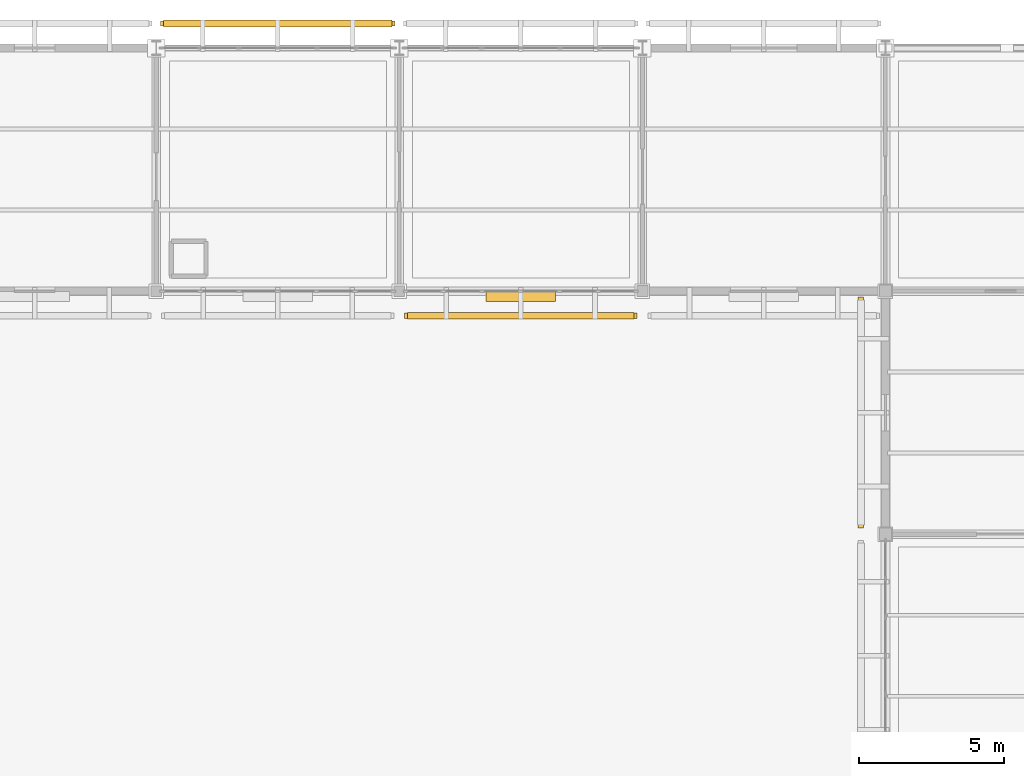
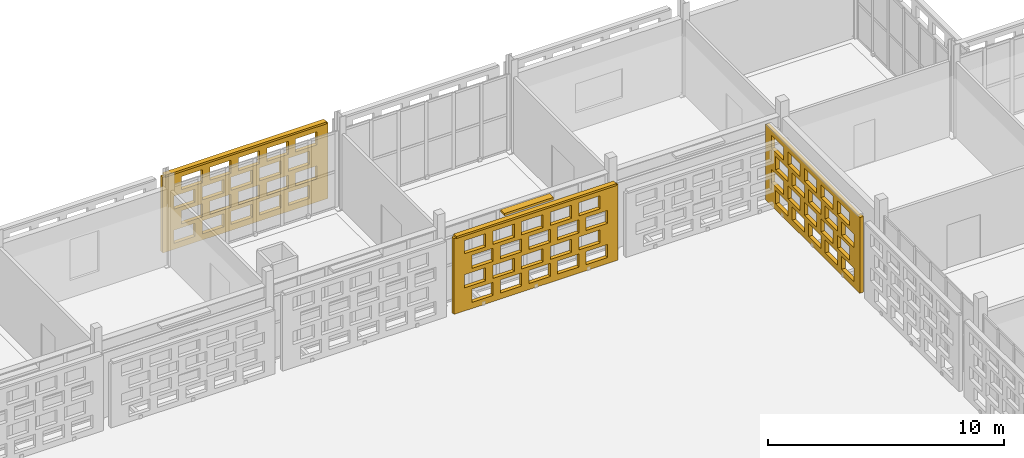
# One storey, part 180 of 203: 3 coverings, 3 shading devices, 60 openings.
"""IFC4 building model written with IfcOpenShell, lengths in metres."""

import ifcopenshell
import ifcopenshell.guid

model = None  # the IFC model being written
_history = None  # IfcOwnerHistory: only IFC2X3 demands one
_inside = {}  # id of a spatial element -> (the spatial element, [elements in it])
_under = {}  # id of a project, library or spatial element -> (it, [spatial elements below it])
_declared = {}  # id of a project -> (the project, [libraries it declares])
_typed = {}  # id of a type object -> (the type object, [elements of that type])
_made_of = {}  # id of a material, layer set ... -> (it, [elements and type objects made of it])


def new_model(schema):
    """Start an empty IFC model of exactly this schema.

    Asked for "IFC4X3", IfcOpenShell would pick the latest addendum, in which some entities
    have other attributes; the version numbers below select the first issue.
    IFC2X3 requires an IfcOwnerHistory on every rooted entity: one is made here for all.
    """
    global model, _history
    if schema == "IFC4X3":
        model = ifcopenshell.file(schema_version=(4, 3, 0, 0))
    else:
        model = ifcopenshell.file(schema=schema)
    _inside.clear()
    _under.clear()
    _declared.clear()
    _typed.clear()
    _made_of.clear()
    _history = None
    if model.schema == "IFC2X3":
        org = make("IfcOrganization", Name="unknown")
        user = make(
            "IfcPersonAndOrganization",
            ThePerson=make("IfcPerson", FamilyName="unknown"),
            TheOrganization=org,
        )
        app = make(
            "IfcApplication",
            ApplicationDeveloper=org,
            Version="unknown",
            ApplicationFullName="unknown",
            ApplicationIdentifier="unknown",
        )
        _history = make(
            "IfcOwnerHistory",
            OwningUser=user,
            OwningApplication=app,
            ChangeAction="ADDED",
            CreationDate=0,
        )
    return model


def make(cls, **values):
    """One entity of the class cls with the attributes given. An attribute that is None is left unset."""
    return model.create_entity(
        cls, **{name: value for name, value in values.items() if value is not None}
    )


def rooted(cls, **values):
    """An entity with a GlobalId (a new one), such as an element, a storey or a relation."""
    return make(cls, GlobalId=ifcopenshell.guid.new(), OwnerHistory=_history, **values)


def si_unit(unit_type, name, prefix=None):
    """IfcSIUnit, for example si_unit("LENGTHUNIT", "METRE", prefix="MILLI")."""
    return make("IfcSIUnit", UnitType=unit_type, Prefix=prefix, Name=name)


def assignment(units):
    """IfcUnitAssignment: the units of a project."""
    return None if units is None else make("IfcUnitAssignment", Units=units)


def point(xyz):
    """IfcCartesianPoint."""
    return None if xyz is None else make("IfcCartesianPoint", Coordinates=xyz)


def direction(xyz):
    """IfcDirection."""
    return None if xyz is None else make("IfcDirection", DirectionRatios=xyz)


def frame(location, z_axis=None, x_axis=None):
    """IfcAxis2Placement3D, a coordinate frame: its origin and axes. An axis left out is left unset."""
    return make(
        "IfcAxis2Placement3D",
        Location=point(location),
        Axis=direction(z_axis),
        RefDirection=direction(x_axis),
    )


def frame_2d(location, x_axis=None):
    """IfcAxis2Placement2D, a coordinate frame in the plane: its origin and x axis."""
    return make(
        "IfcAxis2Placement2D", Location=point(location), RefDirection=direction(x_axis)
    )


def origin():
    """The frame at (0, 0, 0) with its axes left unset."""
    return frame((0.0, 0.0, 0.0))


def origin_2d():
    """The frame at (0, 0) in the plane with its x axis left unset."""
    return frame_2d((0.0, 0.0))


def place(relative_to, where):
    """IfcLocalPlacement: puts the frame where relative to a parent placement (None: the world)."""
    return make(
        "IfcLocalPlacement", PlacementRelTo=relative_to, RelativePlacement=where
    )


def context(
    kind, dimensions, precision=None, world=None, true_north=None, identifier=None
):
    """IfcGeometricRepresentationContext, for example the 3D "Model" context."""
    return make(
        "IfcGeometricRepresentationContext",
        ContextIdentifier=identifier,
        ContextType=kind,
        CoordinateSpaceDimension=dimensions,
        Precision=precision,
        WorldCoordinateSystem=world,
        TrueNorth=true_north,
    )


def subcontext(parent, identifier, kind, view, scale=None):
    """IfcGeometricRepresentationSubContext, for example "Body" below "Model"."""
    return make(
        "IfcGeometricRepresentationSubContext",
        ContextIdentifier=identifier,
        ContextType=kind,
        ParentContext=parent,
        TargetScale=scale,
        TargetView=view,
    )


def project(units=None, contexts=None):
    """IfcProject with its units and contexts."""
    return rooted(
        "IfcProject",
        Name="project",
        RepresentationContexts=contexts,
        UnitsInContext=assignment(units),
    )


def spatial(cls, under=None, at=None, **own):
    """A site, building, storey or space (cls), placed at a placement, below another one or the project."""
    s = rooted(cls, ObjectPlacement=at, **own)
    if under is not None:
        _under.setdefault(under.id(), (under, []))[1].append(s)
    return s


def profile(cls, at=None, kind="AREA", **sizes):
    """A parametric profile (cls). Its sizes go by their IFC names, for example OverallWidth=200.0."""
    return make(cls, ProfileType=kind, Position=at, **sizes)


def rectangle(**sizes):
    """IfcRectangleProfileDef."""
    return profile("IfcRectangleProfileDef", **sizes)


def extrude(swept, where, along, depth):
    """IfcExtrudedAreaSolid: the profile swept, set in the frame where, extruded along a direction by depth."""
    return make(
        "IfcExtrudedAreaSolid",
        SweptArea=swept,
        Position=where,
        ExtrudedDirection=direction(along),
        Depth=depth,
    )


def shape(context_of_items, identifier, shape_type, items):
    """IfcShapeRepresentation: the items that make up one representation, for example the "Body"."""
    return make(
        "IfcShapeRepresentation",
        ContextOfItems=context_of_items,
        RepresentationIdentifier=identifier,
        RepresentationType=shape_type,
        Items=items,
    )


def material(Name=None, Category=None):
    """IfcMaterial."""
    return make("IfcMaterial", Name=Name, Category=Category)


def layer(
    of_material, thickness, ventilated=None, Name=None, Category=None, Priority=None
):
    """IfcMaterialLayer: one layer of a wall or slab, of a material (None: an air gap)."""
    return make(
        "IfcMaterialLayer",
        Material=of_material,
        LayerThickness=thickness,
        IsVentilated=ventilated,
        Name=Name,
        Category=Category,
        Priority=Priority,
    )


def layer_set(layers, Name=None):
    """IfcMaterialLayerSet."""
    return make("IfcMaterialLayerSet", MaterialLayers=layers, LayerSetName=Name)


def made_of(thing, what):
    """Note that an element or type object is made of a material, layer set ...; save() writes the relation."""
    if what is not None:
        _made_of.setdefault(what.id(), (what, []))[1].append(thing)
    return thing


def type_object(cls, material=None, **own):
    """A type object (cls), such as IfcWallType, which elements share."""
    return made_of(rooted(cls, **own), material)


def element(
    cls,
    number,
    at=None,
    inside=None,
    cuts=None,
    type_object=None,
    material=None,
    context=None,
    identifier="Body",
    shape_type=None,
    held_by="IfcProductDefinitionShape",
    body=None,
    shapes=None,
    **own,
):
    """One element of the class cls, such as IfcWall. Its Tag is "e" and its number.

    at: its placement. inside: the storey or other place that contains it. cuts: it is an
    opening in that element (IfcRelVoidsElement). A single representation is given by context,
    identifier, shape_type and body (its items); several are given by shapes. held_by: the class
    of the entity that holds the representations. save() writes the other relations.
    """
    e = rooted(cls, Tag="e%d" % number, ObjectPlacement=at, **own)
    if body is not None:
        shapes = [shape(context, identifier, shape_type, body)]
    if shapes is not None:
        e.Representation = make(held_by, Representations=shapes)
    if inside is not None:
        _inside.setdefault(inside.id(), (inside, []))[1].append(e)
    if cuts is not None:
        rooted(
            "IfcRelVoidsElement", RelatingBuildingElement=cuts, RelatedOpeningElement=e
        )
    if type_object is not None:
        _typed.setdefault(type_object.id(), (type_object, []))[1].append(e)
    return made_of(e, material)


def aggregate(whole, parts):
    """IfcRelAggregates: a whole, such as a stair, and the parts it consists of."""
    return rooted("IfcRelAggregates", RelatingObject=whole, RelatedObjects=parts)


def save(model, path):
    """Write the relations noted so far, then the file.

    IfcRelAggregates (storeys below a building ...), IfcRelContainedInSpatialStructure (elements
    in a storey), IfcRelDefinesByType, IfcRelAssociatesMaterial and IfcRelDeclares: one each for
    every whole, place, type object, material and project.
    """
    for whole, parts in _under.values():
        aggregate(whole, parts)
    for where, things in _inside.values():
        rooted(
            "IfcRelContainedInSpatialStructure",
            RelatedElements=things,
            RelatingStructure=where,
        )
    for kind, things in _typed.values():
        rooted("IfcRelDefinesByType", RelatedObjects=things, RelatingType=kind)
    for what, things in _made_of.values():
        rooted("IfcRelAssociatesMaterial", RelatedObjects=things, RelatingMaterial=what)
    for by, libraries in _declared.values():
        rooted("IfcRelDeclares", RelatingContext=by, RelatedDefinitions=libraries)
    model.write(path)


model = new_model("IFC4")

# Units and contexts
model_context = context("Model", 3, precision=1e-05, world=origin(), true_north=direction((0.0, 1.0)))
body_context = subcontext(model_context, "Body", "Model", "MODEL_VIEW")
ifc_project = project(units=[si_unit("LENGTHUNIT", "METRE"), si_unit("AREAUNIT", "SQUARE_METRE"), si_unit("VOLUMEUNIT", "CUBIC_METRE"), si_unit("PLANEANGLEUNIT", "RADIAN"), si_unit("MASSUNIT", "GRAM", prefix="KILO")], contexts=[model_context])

# Site, building, storey
site_placement = place(None, origin())
site = spatial("IfcSite", under=ifc_project, at=site_placement, CompositionType="ELEMENT")
building_placement = place(site_placement, origin())
building = spatial("IfcBuilding", under=site, at=building_placement, Name="Varnapada Polytechnic", CompositionType="ELEMENT")
storey_placement = place(building_placement, frame((0.0, 0.0, 4.800048828125)))
storey = spatial("IfcBuildingStorey", under=building, at=storey_placement, Name="L01", CompositionType="ELEMENT", Elevation=4.800048828125)

# Shading device
ifc_material_1 = material(Name="Anodised aluminium", Category="aluminium")
ifc_layer_1 = layer(ifc_material_1, 0.35009765625)
ifc_layer_set_1 = layer_set([ifc_layer_1], Name="Anodised aluminium")
shading_device_type_1 = type_object("IfcShadingDeviceType", Name="Solar Louvre LVR-01", PredefinedType="JALOUSIE", material=ifc_layer_set_1)
shading_device_1_placement = place(storey_placement, frame((113.39501953125, 117.419921875, 3.760009765625), z_axis=(0.0, 0.0, 1.0), x_axis=(-1.0, 0.0, 0.0)))
element("IfcShadingDevice", 1, at=shading_device_1_placement, inside=storey, type_object=shading_device_type_1, Name="L01 aluminium sun louvre 94", PredefinedType="JALOUSIE", context=body_context, shape_type="SweptSolid", body=[
    extrude(rectangle(XDim=2.39990234375, YDim=0.340087890625, at=origin_2d()), origin(), (0.0, 0.0, 1.0), 0.1201171875),
])

# Covering, openings
ifc_material_2 = material(Name="Earth-toned architectural terracotta screen block", Category="masonry")
ifc_layer_2 = layer(ifc_material_2, 0.1201171875)
ifc_layer_set_2 = layer_set([ifc_layer_2], Name="Earth-toned architectural terracotta screen block")
covering_type = type_object("IfcCoveringType", Name="Terracotta Screen Cladding CLD-01", PredefinedType="CLADDING", material=ifc_layer_set_2)
covering_1_placement = place(storey_placement, frame((100.949951171875, 126.85009765625, 0.0), z_axis=(0.0, 0.0, 1.0), x_axis=(1.0, 0.0, 0.0)))
covering_1 = element("IfcCovering", 2, at=covering_1_placement, inside=storey, type_object=covering_type, Name="L01 perforated terracotta block screen (89)", PredefinedType="CLADDING", context=body_context, shape_type="SweptSolid", body=[
    extrude(rectangle(XDim=8.10009765625, YDim=0.179931640625, at=frame_2d((4.050048828125, 0.0))), origin(), (0.0, 0.0, 1.0), 3.919921875),
])
opening_1_placement = place(covering_1_placement, frame((0.550048828125, 0.0, 0.313720703125)))
element("IfcOpeningElement", 3, at=opening_1_placement, cuts=covering_1, Name="Screen perforation TBS-L01-088.1", PredefinedType="OPENING", context=body_context, shape_type="SweptSolid", body=[
    extrude(rectangle(XDim=1.0400390625, YDim=0.679931640625, at=frame_2d((0.52001953125, 0.33984375))), frame((0.0, 0.099853515625, 0.0), z_axis=(0.0, -1.0, 0.0), x_axis=(1.0, 0.0, 0.0)), (0.0, 0.0, 1.0), 0.199951171875),
])
opening_2_placement = place(covering_1_placement, frame((1.949951171875, 0.0, 0.313720703125)))
element("IfcOpeningElement", 4, at=opening_2_placement, cuts=covering_1, Name="Screen perforation TBS-L01-088.2", PredefinedType="OPENING", context=body_context, shape_type="SweptSolid", body=[
    extrude(rectangle(XDim=1.0400390625, YDim=0.679931640625, at=frame_2d((0.52001953125, 0.33984375))), frame((0.0, 0.099853515625, 0.0), z_axis=(0.0, -1.0, 0.0), x_axis=(1.0, 0.0, 0.0)), (0.0, 0.0, 1.0), 0.199951171875),
])
opening_3_placement = place(covering_1_placement, frame((3.35009765625, 0.0, 0.313720703125)))
element("IfcOpeningElement", 5, at=opening_3_placement, cuts=covering_1, Name="Screen perforation TBS-L01-088.3", PredefinedType="OPENING", context=body_context, shape_type="SweptSolid", body=[
    extrude(rectangle(XDim=1.0400390625, YDim=0.679931640625, at=frame_2d((0.52001953125, 0.33984375))), frame((0.0, 0.099853515625, 0.0), z_axis=(0.0, -1.0, 0.0), x_axis=(1.0, 0.0, 0.0)), (0.0, 0.0, 1.0), 0.199951171875),
])
opening_4_placement = place(covering_1_placement, frame((4.75, 0.0, 0.313720703125)))
element("IfcOpeningElement", 6, at=opening_4_placement, cuts=covering_1, Name="Screen perforation TBS-L01-088.4", PredefinedType="OPENING", context=body_context, shape_type="SweptSolid", body=[
    extrude(rectangle(XDim=1.0400390625, YDim=0.679931640625, at=frame_2d((0.52001953125, 0.33984375))), frame((0.0, 0.099853515625, 0.0), z_axis=(0.0, -1.0, 0.0), x_axis=(1.0, 0.0, 0.0)), (0.0, 0.0, 1.0), 0.199951171875),
])
opening_5_placement = place(covering_1_placement, frame((6.14990234375, 0.0, 0.313720703125)))
element("IfcOpeningElement", 7, at=opening_5_placement, cuts=covering_1, Name="Screen perforation TBS-L01-088.5", PredefinedType="OPENING", context=body_context, shape_type="SweptSolid", body=[
    extrude(rectangle(XDim=1.0400390625, YDim=0.679931640625, at=frame_2d((0.52001953125, 0.33984375))), frame((0.0, 0.099853515625, 0.0), z_axis=(0.0, -1.0, 0.0), x_axis=(1.0, 0.0, 0.0)), (0.0, 0.0, 1.0), 0.199951171875),
])
opening_6_placement = place(covering_1_placement, frame((0.909912109375, 0.0, 1.195556640625)))
element("IfcOpeningElement", 8, at=opening_6_placement, cuts=covering_1, Name="Screen perforation TBS-L01-088.6", PredefinedType="OPENING", context=body_context, shape_type="SweptSolid", body=[
    extrude(rectangle(XDim=1.0400390625, YDim=0.679931640625, at=frame_2d((0.52001953125, 0.33984375))), frame((0.0, 0.099853515625, 0.0), z_axis=(0.0, -1.0, 0.0), x_axis=(1.0, 0.0, 0.0)), (0.0, 0.0, 1.0), 0.199951171875),
])
opening_7_placement = place(covering_1_placement, frame((2.31005859375, 0.0, 1.195556640625)))
element("IfcOpeningElement", 9, at=opening_7_placement, cuts=covering_1, Name="Screen perforation TBS-L01-088.7", PredefinedType="OPENING", context=body_context, shape_type="SweptSolid", body=[
    extrude(rectangle(XDim=1.0400390625, YDim=0.679931640625, at=frame_2d((0.52001953125, 0.33984375))), frame((0.0, 0.099853515625, 0.0), z_axis=(0.0, -1.0, 0.0), x_axis=(1.0, 0.0, 0.0)), (0.0, 0.0, 1.0), 0.199951171875),
])
opening_8_placement = place(covering_1_placement, frame((3.7099609375, 0.0, 1.195556640625)))
element("IfcOpeningElement", 10, at=opening_8_placement, cuts=covering_1, Name="Screen perforation TBS-L01-088.8", PredefinedType="OPENING", context=body_context, shape_type="SweptSolid", body=[
    extrude(rectangle(XDim=1.0400390625, YDim=0.679931640625, at=frame_2d((0.52001953125, 0.33984375))), frame((0.0, 0.099853515625, 0.0), z_axis=(0.0, -1.0, 0.0), x_axis=(1.0, 0.0, 0.0)), (0.0, 0.0, 1.0), 0.199951171875),
])
opening_9_placement = place(covering_1_placement, frame((5.110107421875, 0.0, 1.195556640625)))
element("IfcOpeningElement", 11, at=opening_9_placement, cuts=covering_1, Name="Screen perforation TBS-L01-088.9", PredefinedType="OPENING", context=body_context, shape_type="SweptSolid", body=[
    extrude(rectangle(XDim=1.0400390625, YDim=0.679931640625, at=frame_2d((0.52001953125, 0.33984375))), frame((0.0, 0.099853515625, 0.0), z_axis=(0.0, -1.0, 0.0), x_axis=(1.0, 0.0, 0.0)), (0.0, 0.0, 1.0), 0.199951171875),
])
opening_10_placement = place(covering_1_placement, frame((6.510009765625, 0.0, 1.195556640625)))
element("IfcOpeningElement", 12, at=opening_10_placement, cuts=covering_1, Name="Screen perforation TBS-L01-088.10", PredefinedType="OPENING", context=body_context, shape_type="SweptSolid", body=[
    extrude(rectangle(XDim=1.0400390625, YDim=0.679931640625, at=frame_2d((0.52001953125, 0.33984375))), frame((0.0, 0.099853515625, 0.0), z_axis=(0.0, -1.0, 0.0), x_axis=(1.0, 0.0, 0.0)), (0.0, 0.0, 1.0), 0.199951171875),
])
opening_11_placement = place(covering_1_placement, frame((0.550048828125, 0.0, 2.07763671875)))
element("IfcOpeningElement", 13, at=opening_11_placement, cuts=covering_1, Name="Screen perforation TBS-L01-088.11", PredefinedType="OPENING", context=body_context, shape_type="SweptSolid", body=[
    extrude(rectangle(XDim=1.0400390625, YDim=0.679931640625, at=frame_2d((0.52001953125, 0.33984375))), frame((0.0, 0.099853515625, 0.0), z_axis=(0.0, -1.0, 0.0), x_axis=(1.0, 0.0, 0.0)), (0.0, 0.0, 1.0), 0.199951171875),
])
opening_12_placement = place(covering_1_placement, frame((1.949951171875, 0.0, 2.07763671875)))
element("IfcOpeningElement", 14, at=opening_12_placement, cuts=covering_1, Name="Screen perforation TBS-L01-088.12", PredefinedType="OPENING", context=body_context, shape_type="SweptSolid", body=[
    extrude(rectangle(XDim=1.0400390625, YDim=0.679931640625, at=frame_2d((0.52001953125, 0.33984375))), frame((0.0, 0.099853515625, 0.0), z_axis=(0.0, -1.0, 0.0), x_axis=(1.0, 0.0, 0.0)), (0.0, 0.0, 1.0), 0.199951171875),
])
opening_13_placement = place(covering_1_placement, frame((3.35009765625, 0.0, 2.07763671875)))
element("IfcOpeningElement", 15, at=opening_13_placement, cuts=covering_1, Name="Screen perforation TBS-L01-088.13", PredefinedType="OPENING", context=body_context, shape_type="SweptSolid", body=[
    extrude(rectangle(XDim=1.0400390625, YDim=0.679931640625, at=frame_2d((0.52001953125, 0.33984375))), frame((0.0, 0.099853515625, 0.0), z_axis=(0.0, -1.0, 0.0), x_axis=(1.0, 0.0, 0.0)), (0.0, 0.0, 1.0), 0.199951171875),
])
opening_14_placement = place(covering_1_placement, frame((4.75, 0.0, 2.07763671875)))
element("IfcOpeningElement", 16, at=opening_14_placement, cuts=covering_1, Name="Screen perforation TBS-L01-088.14", PredefinedType="OPENING", context=body_context, shape_type="SweptSolid", body=[
    extrude(rectangle(XDim=1.0400390625, YDim=0.679931640625, at=frame_2d((0.52001953125, 0.33984375))), frame((0.0, 0.099853515625, 0.0), z_axis=(0.0, -1.0, 0.0), x_axis=(1.0, 0.0, 0.0)), (0.0, 0.0, 1.0), 0.199951171875),
])
opening_15_placement = place(covering_1_placement, frame((6.14990234375, 0.0, 2.07763671875)))
element("IfcOpeningElement", 17, at=opening_15_placement, cuts=covering_1, Name="Screen perforation TBS-L01-088.15", PredefinedType="OPENING", context=body_context, shape_type="SweptSolid", body=[
    extrude(rectangle(XDim=1.0400390625, YDim=0.679931640625, at=frame_2d((0.52001953125, 0.33984375))), frame((0.0, 0.099853515625, 0.0), z_axis=(0.0, -1.0, 0.0), x_axis=(1.0, 0.0, 0.0)), (0.0, 0.0, 1.0), 0.199951171875),
])
opening_16_placement = place(covering_1_placement, frame((0.909912109375, 0.0, 2.959716796875)))
element("IfcOpeningElement", 18, at=opening_16_placement, cuts=covering_1, Name="Screen perforation TBS-L01-088.16", PredefinedType="OPENING", context=body_context, shape_type="SweptSolid", body=[
    extrude(rectangle(XDim=1.0400390625, YDim=0.679931640625, at=frame_2d((0.52001953125, 0.33984375))), frame((0.0, 0.099853515625, 0.0), z_axis=(0.0, -1.0, 0.0), x_axis=(1.0, 0.0, 0.0)), (0.0, 0.0, 1.0), 0.199951171875),
])
opening_17_placement = place(covering_1_placement, frame((2.31005859375, 0.0, 2.959716796875)))
element("IfcOpeningElement", 19, at=opening_17_placement, cuts=covering_1, Name="Screen perforation TBS-L01-088.17", PredefinedType="OPENING", context=body_context, shape_type="SweptSolid", body=[
    extrude(rectangle(XDim=1.0400390625, YDim=0.679931640625, at=frame_2d((0.52001953125, 0.33984375))), frame((0.0, 0.099853515625, 0.0), z_axis=(0.0, -1.0, 0.0), x_axis=(1.0, 0.0, 0.0)), (0.0, 0.0, 1.0), 0.199951171875),
])
opening_18_placement = place(covering_1_placement, frame((3.7099609375, 0.0, 2.959716796875)))
element("IfcOpeningElement", 20, at=opening_18_placement, cuts=covering_1, Name="Screen perforation TBS-L01-088.18", PredefinedType="OPENING", context=body_context, shape_type="SweptSolid", body=[
    extrude(rectangle(XDim=1.0400390625, YDim=0.679931640625, at=frame_2d((0.52001953125, 0.33984375))), frame((0.0, 0.099853515625, 0.0), z_axis=(0.0, -1.0, 0.0), x_axis=(1.0, 0.0, 0.0)), (0.0, 0.0, 1.0), 0.199951171875),
])
opening_19_placement = place(covering_1_placement, frame((5.110107421875, 0.0, 2.959716796875)))
element("IfcOpeningElement", 21, at=opening_19_placement, cuts=covering_1, Name="Screen perforation TBS-L01-088.19", PredefinedType="OPENING", context=body_context, shape_type="SweptSolid", body=[
    extrude(rectangle(XDim=1.0400390625, YDim=0.679931640625, at=frame_2d((0.52001953125, 0.33984375))), frame((0.0, 0.099853515625, 0.0), z_axis=(0.0, -1.0, 0.0), x_axis=(1.0, 0.0, 0.0)), (0.0, 0.0, 1.0), 0.199951171875),
])
opening_20_placement = place(covering_1_placement, frame((6.510009765625, 0.0, 2.959716796875)))
element("IfcOpeningElement", 22, at=opening_20_placement, cuts=covering_1, Name="Screen perforation TBS-L01-088.20", PredefinedType="OPENING", context=body_context, shape_type="SweptSolid", body=[
    extrude(rectangle(XDim=1.0400390625, YDim=0.679931640625, at=frame_2d((0.52001953125, 0.33984375))), frame((0.0, 0.099853515625, 0.0), z_axis=(0.0, -1.0, 0.0), x_axis=(1.0, 0.0, 0.0)), (0.0, 0.0, 1.0), 0.199951171875),
])

covering_2_placement = place(storey_placement, frame((117.409912109375, 116.75, 0.0), z_axis=(0.0, 0.0, 1.0), x_axis=(-1.0, 0.0, 0.0)))
covering_2 = element("IfcCovering", 23, at=covering_2_placement, inside=storey, type_object=covering_type, Name="L01 perforated terracotta block screen (94)", PredefinedType="CLADDING", context=body_context, shape_type="SweptSolid", body=[
    extrude(rectangle(XDim=8.030029296875, YDim=0.179931640625, at=frame_2d((4.01513671875, 0.0))), origin(), (0.0, 0.0, 1.0), 3.919921875),
])
opening_21_placement = place(covering_2_placement, frame((0.514892578125, 0.0, 0.313720703125)))
element("IfcOpeningElement", 24, at=opening_21_placement, cuts=covering_2, Name="Screen perforation TBS-L01-093.1", PredefinedType="OPENING", context=body_context, shape_type="SweptSolid", body=[
    extrude(rectangle(XDim=1.0400390625, YDim=0.679931640625, at=frame_2d((0.52001953125, 0.33984375))), frame((0.0, 0.099853515625, 0.0), z_axis=(0.0, -1.0, 0.0), x_axis=(1.0, 0.0, 0.0)), (0.0, 0.0, 1.0), 0.199951171875),
])
opening_22_placement = place(covering_2_placement, frame((1.9150390625, 0.0, 0.313720703125)))
element("IfcOpeningElement", 25, at=opening_22_placement, cuts=covering_2, Name="Screen perforation TBS-L01-093.2", PredefinedType="OPENING", context=body_context, shape_type="SweptSolid", body=[
    extrude(rectangle(XDim=1.0400390625, YDim=0.679931640625, at=frame_2d((0.52001953125, 0.33984375))), frame((0.0, 0.099853515625, 0.0), z_axis=(0.0, -1.0, 0.0), x_axis=(1.0, 0.0, 0.0)), (0.0, 0.0, 1.0), 0.199951171875),
])
opening_23_placement = place(covering_2_placement, frame((3.31494140625, 0.0, 0.313720703125)))
element("IfcOpeningElement", 26, at=opening_23_placement, cuts=covering_2, Name="Screen perforation TBS-L01-093.3", PredefinedType="OPENING", context=body_context, shape_type="SweptSolid", body=[
    extrude(rectangle(XDim=1.0400390625, YDim=0.679931640625, at=frame_2d((0.52001953125, 0.33984375))), frame((0.0, 0.099853515625, 0.0), z_axis=(0.0, -1.0, 0.0), x_axis=(1.0, 0.0, 0.0)), (0.0, 0.0, 1.0), 0.199951171875),
])
opening_24_placement = place(covering_2_placement, frame((4.715087890625, 0.0, 0.313720703125)))
element("IfcOpeningElement", 27, at=opening_24_placement, cuts=covering_2, Name="Screen perforation TBS-L01-093.4", PredefinedType="OPENING", context=body_context, shape_type="SweptSolid", body=[
    extrude(rectangle(XDim=1.0400390625, YDim=0.679931640625, at=frame_2d((0.52001953125, 0.33984375))), frame((0.0, 0.099853515625, 0.0), z_axis=(0.0, -1.0, 0.0), x_axis=(1.0, 0.0, 0.0)), (0.0, 0.0, 1.0), 0.199951171875),
])
opening_25_placement = place(covering_2_placement, frame((6.114990234375, 0.0, 0.313720703125)))
element("IfcOpeningElement", 28, at=opening_25_placement, cuts=covering_2, Name="Screen perforation TBS-L01-093.5", PredefinedType="OPENING", context=body_context, shape_type="SweptSolid", body=[
    extrude(rectangle(XDim=1.0400390625, YDim=0.679931640625, at=frame_2d((0.52001953125, 0.33984375))), frame((0.0, 0.099853515625, 0.0), z_axis=(0.0, -1.0, 0.0), x_axis=(1.0, 0.0, 0.0)), (0.0, 0.0, 1.0), 0.199951171875),
])
opening_26_placement = place(covering_2_placement, frame((0.875, 0.0, 1.195556640625)))
element("IfcOpeningElement", 29, at=opening_26_placement, cuts=covering_2, Name="Screen perforation TBS-L01-093.6", PredefinedType="OPENING", context=body_context, shape_type="SweptSolid", body=[
    extrude(rectangle(XDim=1.0400390625, YDim=0.679931640625, at=frame_2d((0.52001953125, 0.33984375))), frame((0.0, 0.099853515625, 0.0), z_axis=(0.0, -1.0, 0.0), x_axis=(1.0, 0.0, 0.0)), (0.0, 0.0, 1.0), 0.199951171875),
])
opening_27_placement = place(covering_2_placement, frame((2.27490234375, 0.0, 1.195556640625)))
element("IfcOpeningElement", 30, at=opening_27_placement, cuts=covering_2, Name="Screen perforation TBS-L01-093.7", PredefinedType="OPENING", context=body_context, shape_type="SweptSolid", body=[
    extrude(rectangle(XDim=1.0400390625, YDim=0.679931640625, at=frame_2d((0.52001953125, 0.33984375))), frame((0.0, 0.099853515625, 0.0), z_axis=(0.0, -1.0, 0.0), x_axis=(1.0, 0.0, 0.0)), (0.0, 0.0, 1.0), 0.199951171875),
])
opening_28_placement = place(covering_2_placement, frame((3.675048828125, 0.0, 1.195556640625)))
element("IfcOpeningElement", 31, at=opening_28_placement, cuts=covering_2, Name="Screen perforation TBS-L01-093.8", PredefinedType="OPENING", context=body_context, shape_type="SweptSolid", body=[
    extrude(rectangle(XDim=1.0400390625, YDim=0.679931640625, at=frame_2d((0.52001953125, 0.33984375))), frame((0.0, 0.099853515625, 0.0), z_axis=(0.0, -1.0, 0.0), x_axis=(1.0, 0.0, 0.0)), (0.0, 0.0, 1.0), 0.199951171875),
])
opening_29_placement = place(covering_2_placement, frame((5.074951171875, 0.0, 1.195556640625)))
element("IfcOpeningElement", 32, at=opening_29_placement, cuts=covering_2, Name="Screen perforation TBS-L01-093.9", PredefinedType="OPENING", context=body_context, shape_type="SweptSolid", body=[
    extrude(rectangle(XDim=1.0400390625, YDim=0.679931640625, at=frame_2d((0.52001953125, 0.33984375))), frame((0.0, 0.099853515625, 0.0), z_axis=(0.0, -1.0, 0.0), x_axis=(1.0, 0.0, 0.0)), (0.0, 0.0, 1.0), 0.199951171875),
])
opening_30_placement = place(covering_2_placement, frame((6.47509765625, 0.0, 1.195556640625)))
element("IfcOpeningElement", 33, at=opening_30_placement, cuts=covering_2, Name="Screen perforation TBS-L01-093.10", PredefinedType="OPENING", context=body_context, shape_type="SweptSolid", body=[
    extrude(rectangle(XDim=1.0400390625, YDim=0.679931640625, at=frame_2d((0.52001953125, 0.33984375))), frame((0.0, 0.099853515625, 0.0), z_axis=(0.0, -1.0, 0.0), x_axis=(1.0, 0.0, 0.0)), (0.0, 0.0, 1.0), 0.199951171875),
])
opening_31_placement = place(covering_2_placement, frame((0.514892578125, 0.0, 2.07763671875)))
element("IfcOpeningElement", 34, at=opening_31_placement, cuts=covering_2, Name="Screen perforation TBS-L01-093.11", PredefinedType="OPENING", context=body_context, shape_type="SweptSolid", body=[
    extrude(rectangle(XDim=1.0400390625, YDim=0.679931640625, at=frame_2d((0.52001953125, 0.33984375))), frame((0.0, 0.099853515625, 0.0), z_axis=(0.0, -1.0, 0.0), x_axis=(1.0, 0.0, 0.0)), (0.0, 0.0, 1.0), 0.199951171875),
])
opening_32_placement = place(covering_2_placement, frame((1.9150390625, 0.0, 2.07763671875)))
element("IfcOpeningElement", 35, at=opening_32_placement, cuts=covering_2, Name="Screen perforation TBS-L01-093.12", PredefinedType="OPENING", context=body_context, shape_type="SweptSolid", body=[
    extrude(rectangle(XDim=1.0400390625, YDim=0.679931640625, at=frame_2d((0.52001953125, 0.33984375))), frame((0.0, 0.099853515625, 0.0), z_axis=(0.0, -1.0, 0.0), x_axis=(1.0, 0.0, 0.0)), (0.0, 0.0, 1.0), 0.199951171875),
])
opening_33_placement = place(covering_2_placement, frame((3.31494140625, 0.0, 2.07763671875)))
element("IfcOpeningElement", 36, at=opening_33_placement, cuts=covering_2, Name="Screen perforation TBS-L01-093.13", PredefinedType="OPENING", context=body_context, shape_type="SweptSolid", body=[
    extrude(rectangle(XDim=1.0400390625, YDim=0.679931640625, at=frame_2d((0.52001953125, 0.33984375))), frame((0.0, 0.099853515625, 0.0), z_axis=(0.0, -1.0, 0.0), x_axis=(1.0, 0.0, 0.0)), (0.0, 0.0, 1.0), 0.199951171875),
])
opening_34_placement = place(covering_2_placement, frame((4.715087890625, 0.0, 2.07763671875)))
element("IfcOpeningElement", 37, at=opening_34_placement, cuts=covering_2, Name="Screen perforation TBS-L01-093.14", PredefinedType="OPENING", context=body_context, shape_type="SweptSolid", body=[
    extrude(rectangle(XDim=1.0400390625, YDim=0.679931640625, at=frame_2d((0.52001953125, 0.33984375))), frame((0.0, 0.099853515625, 0.0), z_axis=(0.0, -1.0, 0.0), x_axis=(1.0, 0.0, 0.0)), (0.0, 0.0, 1.0), 0.199951171875),
])
opening_35_placement = place(covering_2_placement, frame((6.114990234375, 0.0, 2.07763671875)))
element("IfcOpeningElement", 38, at=opening_35_placement, cuts=covering_2, Name="Screen perforation TBS-L01-093.15", PredefinedType="OPENING", context=body_context, shape_type="SweptSolid", body=[
    extrude(rectangle(XDim=1.0400390625, YDim=0.679931640625, at=frame_2d((0.52001953125, 0.33984375))), frame((0.0, 0.099853515625, 0.0), z_axis=(0.0, -1.0, 0.0), x_axis=(1.0, 0.0, 0.0)), (0.0, 0.0, 1.0), 0.199951171875),
])
opening_36_placement = place(covering_2_placement, frame((0.875, 0.0, 2.959716796875)))
element("IfcOpeningElement", 39, at=opening_36_placement, cuts=covering_2, Name="Screen perforation TBS-L01-093.16", PredefinedType="OPENING", context=body_context, shape_type="SweptSolid", body=[
    extrude(rectangle(XDim=1.0400390625, YDim=0.679931640625, at=frame_2d((0.52001953125, 0.33984375))), frame((0.0, 0.099853515625, 0.0), z_axis=(0.0, -1.0, 0.0), x_axis=(1.0, 0.0, 0.0)), (0.0, 0.0, 1.0), 0.199951171875),
])
opening_37_placement = place(covering_2_placement, frame((2.27490234375, 0.0, 2.959716796875)))
element("IfcOpeningElement", 40, at=opening_37_placement, cuts=covering_2, Name="Screen perforation TBS-L01-093.17", PredefinedType="OPENING", context=body_context, shape_type="SweptSolid", body=[
    extrude(rectangle(XDim=1.0400390625, YDim=0.679931640625, at=frame_2d((0.52001953125, 0.33984375))), frame((0.0, 0.099853515625, 0.0), z_axis=(0.0, -1.0, 0.0), x_axis=(1.0, 0.0, 0.0)), (0.0, 0.0, 1.0), 0.199951171875),
])
opening_38_placement = place(covering_2_placement, frame((3.675048828125, 0.0, 2.959716796875)))
element("IfcOpeningElement", 41, at=opening_38_placement, cuts=covering_2, Name="Screen perforation TBS-L01-093.18", PredefinedType="OPENING", context=body_context, shape_type="SweptSolid", body=[
    extrude(rectangle(XDim=1.0400390625, YDim=0.679931640625, at=frame_2d((0.52001953125, 0.33984375))), frame((0.0, 0.099853515625, 0.0), z_axis=(0.0, -1.0, 0.0), x_axis=(1.0, 0.0, 0.0)), (0.0, 0.0, 1.0), 0.199951171875),
])
opening_39_placement = place(covering_2_placement, frame((5.074951171875, 0.0, 2.959716796875)))
element("IfcOpeningElement", 42, at=opening_39_placement, cuts=covering_2, Name="Screen perforation TBS-L01-093.19", PredefinedType="OPENING", context=body_context, shape_type="SweptSolid", body=[
    extrude(rectangle(XDim=1.0400390625, YDim=0.679931640625, at=frame_2d((0.52001953125, 0.33984375))), frame((0.0, 0.099853515625, 0.0), z_axis=(0.0, -1.0, 0.0), x_axis=(1.0, 0.0, 0.0)), (0.0, 0.0, 1.0), 0.199951171875),
])
opening_40_placement = place(covering_2_placement, frame((6.47509765625, 0.0, 2.959716796875)))
element("IfcOpeningElement", 43, at=opening_40_placement, cuts=covering_2, Name="Screen perforation TBS-L01-093.20", PredefinedType="OPENING", context=body_context, shape_type="SweptSolid", body=[
    extrude(rectangle(XDim=1.0400390625, YDim=0.679931640625, at=frame_2d((0.52001953125, 0.33984375))), frame((0.0, 0.099853515625, 0.0), z_axis=(0.0, -1.0, 0.0), x_axis=(1.0, 0.0, 0.0)), (0.0, 0.0, 1.0), 0.199951171875),
])

covering_3_placement = place(storey_placement, frame((125.14990234375, 109.409912109375, 0.0), z_axis=(0.0, 0.0, 1.0), x_axis=(0.0, 1.0, 0.0)))
covering_3 = element("IfcCovering", 44, at=covering_3_placement, inside=storey, type_object=covering_type, Name="L01 perforated terracotta block screen (110)", PredefinedType="CLADDING", context=body_context, shape_type="SweptSolid", body=[
    extrude(rectangle(XDim=7.97998046875, YDim=0.179931640625, at=frame_2d((3.989990234375, 0.0))), origin(), (0.0, 0.0, 1.0), 3.919921875),
])
opening_41_placement = place(covering_3_placement, frame((0.489990234375, 0.0, 0.313720703125)))
element("IfcOpeningElement", 45, at=opening_41_placement, cuts=covering_3, Name="Screen perforation TBS-L01-109.1", PredefinedType="OPENING", context=body_context, shape_type="SweptSolid", body=[
    extrude(rectangle(XDim=1.0400390625, YDim=0.679931640625, at=frame_2d((0.52001953125, 0.33984375))), frame((0.0, 0.099853515625, 0.0), z_axis=(0.0, -1.0, 0.0), x_axis=(1.0, 0.0, 0.0)), (0.0, 0.0, 1.0), 0.199951171875),
])
opening_42_placement = place(covering_3_placement, frame((1.889892578125, 0.0, 0.313720703125)))
element("IfcOpeningElement", 46, at=opening_42_placement, cuts=covering_3, Name="Screen perforation TBS-L01-109.2", PredefinedType="OPENING", context=body_context, shape_type="SweptSolid", body=[
    extrude(rectangle(XDim=1.0400390625, YDim=0.679931640625, at=frame_2d((0.52001953125, 0.33984375))), frame((0.0, 0.099853515625, 0.0), z_axis=(0.0, -1.0, 0.0), x_axis=(1.0, 0.0, 0.0)), (0.0, 0.0, 1.0), 0.199951171875),
])
opening_43_placement = place(covering_3_placement, frame((3.2900390625, 0.0, 0.313720703125)))
element("IfcOpeningElement", 47, at=opening_43_placement, cuts=covering_3, Name="Screen perforation TBS-L01-109.3", PredefinedType="OPENING", context=body_context, shape_type="SweptSolid", body=[
    extrude(rectangle(XDim=1.0400390625, YDim=0.679931640625, at=frame_2d((0.52001953125, 0.33984375))), frame((0.0, 0.099853515625, 0.0), z_axis=(0.0, -1.0, 0.0), x_axis=(1.0, 0.0, 0.0)), (0.0, 0.0, 1.0), 0.199951171875),
])
opening_44_placement = place(covering_3_placement, frame((4.68994140625, 0.0, 0.313720703125)))
element("IfcOpeningElement", 48, at=opening_44_placement, cuts=covering_3, Name="Screen perforation TBS-L01-109.4", PredefinedType="OPENING", context=body_context, shape_type="SweptSolid", body=[
    extrude(rectangle(XDim=1.0400390625, YDim=0.679931640625, at=frame_2d((0.52001953125, 0.33984375))), frame((0.0, 0.099853515625, 0.0), z_axis=(0.0, -1.0, 0.0), x_axis=(1.0, 0.0, 0.0)), (0.0, 0.0, 1.0), 0.199951171875),
])
opening_45_placement = place(covering_3_placement, frame((6.090087890625, 0.0, 0.313720703125)))
element("IfcOpeningElement", 49, at=opening_45_placement, cuts=covering_3, Name="Screen perforation TBS-L01-109.5", PredefinedType="OPENING", context=body_context, shape_type="SweptSolid", body=[
    extrude(rectangle(XDim=1.0400390625, YDim=0.679931640625, at=frame_2d((0.52001953125, 0.33984375))), frame((0.0, 0.099853515625, 0.0), z_axis=(0.0, -1.0, 0.0), x_axis=(1.0, 0.0, 0.0)), (0.0, 0.0, 1.0), 0.199951171875),
])
opening_46_placement = place(covering_3_placement, frame((0.85009765625, 0.0, 1.195556640625)))
element("IfcOpeningElement", 50, at=opening_46_placement, cuts=covering_3, Name="Screen perforation TBS-L01-109.6", PredefinedType="OPENING", context=body_context, shape_type="SweptSolid", body=[
    extrude(rectangle(XDim=1.0400390625, YDim=0.679931640625, at=frame_2d((0.52001953125, 0.33984375))), frame((0.0, 0.099853515625, 0.0), z_axis=(0.0, -1.0, 0.0), x_axis=(1.0, 0.0, 0.0)), (0.0, 0.0, 1.0), 0.199951171875),
])
opening_47_placement = place(covering_3_placement, frame((2.25, 0.0, 1.195556640625)))
element("IfcOpeningElement", 51, at=opening_47_placement, cuts=covering_3, Name="Screen perforation TBS-L01-109.7", PredefinedType="OPENING", context=body_context, shape_type="SweptSolid", body=[
    extrude(rectangle(XDim=1.0400390625, YDim=0.679931640625, at=frame_2d((0.52001953125, 0.33984375))), frame((0.0, 0.099853515625, 0.0), z_axis=(0.0, -1.0, 0.0), x_axis=(1.0, 0.0, 0.0)), (0.0, 0.0, 1.0), 0.199951171875),
])
opening_48_placement = place(covering_3_placement, frame((3.64990234375, 0.0, 1.195556640625)))
element("IfcOpeningElement", 52, at=opening_48_placement, cuts=covering_3, Name="Screen perforation TBS-L01-109.8", PredefinedType="OPENING", context=body_context, shape_type="SweptSolid", body=[
    extrude(rectangle(XDim=1.0400390625, YDim=0.679931640625, at=frame_2d((0.52001953125, 0.33984375))), frame((0.0, 0.099853515625, 0.0), z_axis=(0.0, -1.0, 0.0), x_axis=(1.0, 0.0, 0.0)), (0.0, 0.0, 1.0), 0.199951171875),
])
opening_49_placement = place(covering_3_placement, frame((5.050048828125, 0.0, 1.195556640625)))
element("IfcOpeningElement", 53, at=opening_49_placement, cuts=covering_3, Name="Screen perforation TBS-L01-109.9", PredefinedType="OPENING", context=body_context, shape_type="SweptSolid", body=[
    extrude(rectangle(XDim=1.0400390625, YDim=0.679931640625, at=frame_2d((0.52001953125, 0.33984375))), frame((0.0, 0.099853515625, 0.0), z_axis=(0.0, -1.0, 0.0), x_axis=(1.0, 0.0, 0.0)), (0.0, 0.0, 1.0), 0.199951171875),
])
opening_50_placement = place(covering_3_placement, frame((6.449951171875, 0.0, 1.195556640625)))
element("IfcOpeningElement", 54, at=opening_50_placement, cuts=covering_3, Name="Screen perforation TBS-L01-109.10", PredefinedType="OPENING", context=body_context, shape_type="SweptSolid", body=[
    extrude(rectangle(XDim=1.0400390625, YDim=0.679931640625, at=frame_2d((0.52001953125, 0.33984375))), frame((0.0, 0.099853515625, 0.0), z_axis=(0.0, -1.0, 0.0), x_axis=(1.0, 0.0, 0.0)), (0.0, 0.0, 1.0), 0.199951171875),
])
opening_51_placement = place(covering_3_placement, frame((0.489990234375, 0.0, 2.07763671875)))
element("IfcOpeningElement", 55, at=opening_51_placement, cuts=covering_3, Name="Screen perforation TBS-L01-109.11", PredefinedType="OPENING", context=body_context, shape_type="SweptSolid", body=[
    extrude(rectangle(XDim=1.0400390625, YDim=0.679931640625, at=frame_2d((0.52001953125, 0.33984375))), frame((0.0, 0.099853515625, 0.0), z_axis=(0.0, -1.0, 0.0), x_axis=(1.0, 0.0, 0.0)), (0.0, 0.0, 1.0), 0.199951171875),
])
opening_52_placement = place(covering_3_placement, frame((1.889892578125, 0.0, 2.07763671875)))
element("IfcOpeningElement", 56, at=opening_52_placement, cuts=covering_3, Name="Screen perforation TBS-L01-109.12", PredefinedType="OPENING", context=body_context, shape_type="SweptSolid", body=[
    extrude(rectangle(XDim=1.0400390625, YDim=0.679931640625, at=frame_2d((0.52001953125, 0.33984375))), frame((0.0, 0.099853515625, 0.0), z_axis=(0.0, -1.0, 0.0), x_axis=(1.0, 0.0, 0.0)), (0.0, 0.0, 1.0), 0.199951171875),
])
opening_53_placement = place(covering_3_placement, frame((3.2900390625, 0.0, 2.07763671875)))
element("IfcOpeningElement", 57, at=opening_53_placement, cuts=covering_3, Name="Screen perforation TBS-L01-109.13", PredefinedType="OPENING", context=body_context, shape_type="SweptSolid", body=[
    extrude(rectangle(XDim=1.0400390625, YDim=0.679931640625, at=frame_2d((0.52001953125, 0.33984375))), frame((0.0, 0.099853515625, 0.0), z_axis=(0.0, -1.0, 0.0), x_axis=(1.0, 0.0, 0.0)), (0.0, 0.0, 1.0), 0.199951171875),
])
opening_54_placement = place(covering_3_placement, frame((4.68994140625, 0.0, 2.07763671875)))
element("IfcOpeningElement", 58, at=opening_54_placement, cuts=covering_3, Name="Screen perforation TBS-L01-109.14", PredefinedType="OPENING", context=body_context, shape_type="SweptSolid", body=[
    extrude(rectangle(XDim=1.0400390625, YDim=0.679931640625, at=frame_2d((0.52001953125, 0.33984375))), frame((0.0, 0.099853515625, 0.0), z_axis=(0.0, -1.0, 0.0), x_axis=(1.0, 0.0, 0.0)), (0.0, 0.0, 1.0), 0.199951171875),
])
opening_55_placement = place(covering_3_placement, frame((6.090087890625, 0.0, 2.07763671875)))
element("IfcOpeningElement", 59, at=opening_55_placement, cuts=covering_3, Name="Screen perforation TBS-L01-109.15", PredefinedType="OPENING", context=body_context, shape_type="SweptSolid", body=[
    extrude(rectangle(XDim=1.0400390625, YDim=0.679931640625, at=frame_2d((0.52001953125, 0.33984375))), frame((0.0, 0.099853515625, 0.0), z_axis=(0.0, -1.0, 0.0), x_axis=(1.0, 0.0, 0.0)), (0.0, 0.0, 1.0), 0.199951171875),
])
opening_56_placement = place(covering_3_placement, frame((0.85009765625, 0.0, 2.959716796875)))
element("IfcOpeningElement", 60, at=opening_56_placement, cuts=covering_3, Name="Screen perforation TBS-L01-109.16", PredefinedType="OPENING", context=body_context, shape_type="SweptSolid", body=[
    extrude(rectangle(XDim=1.0400390625, YDim=0.679931640625, at=frame_2d((0.52001953125, 0.33984375))), frame((0.0, 0.099853515625, 0.0), z_axis=(0.0, -1.0, 0.0), x_axis=(1.0, 0.0, 0.0)), (0.0, 0.0, 1.0), 0.199951171875),
])
opening_57_placement = place(covering_3_placement, frame((2.25, 0.0, 2.959716796875)))
element("IfcOpeningElement", 61, at=opening_57_placement, cuts=covering_3, Name="Screen perforation TBS-L01-109.17", PredefinedType="OPENING", context=body_context, shape_type="SweptSolid", body=[
    extrude(rectangle(XDim=1.0400390625, YDim=0.679931640625, at=frame_2d((0.52001953125, 0.33984375))), frame((0.0, 0.099853515625, 0.0), z_axis=(0.0, -1.0, 0.0), x_axis=(1.0, 0.0, 0.0)), (0.0, 0.0, 1.0), 0.199951171875),
])
opening_58_placement = place(covering_3_placement, frame((3.64990234375, 0.0, 2.959716796875)))
element("IfcOpeningElement", 62, at=opening_58_placement, cuts=covering_3, Name="Screen perforation TBS-L01-109.18", PredefinedType="OPENING", context=body_context, shape_type="SweptSolid", body=[
    extrude(rectangle(XDim=1.0400390625, YDim=0.679931640625, at=frame_2d((0.52001953125, 0.33984375))), frame((0.0, 0.099853515625, 0.0), z_axis=(0.0, -1.0, 0.0), x_axis=(1.0, 0.0, 0.0)), (0.0, 0.0, 1.0), 0.199951171875),
])
opening_59_placement = place(covering_3_placement, frame((5.050048828125, 0.0, 2.959716796875)))
element("IfcOpeningElement", 63, at=opening_59_placement, cuts=covering_3, Name="Screen perforation TBS-L01-109.19", PredefinedType="OPENING", context=body_context, shape_type="SweptSolid", body=[
    extrude(rectangle(XDim=1.0400390625, YDim=0.679931640625, at=frame_2d((0.52001953125, 0.33984375))), frame((0.0, 0.099853515625, 0.0), z_axis=(0.0, -1.0, 0.0), x_axis=(1.0, 0.0, 0.0)), (0.0, 0.0, 1.0), 0.199951171875),
])
opening_60_placement = place(covering_3_placement, frame((6.449951171875, 0.0, 2.959716796875)))
element("IfcOpeningElement", 64, at=opening_60_placement, cuts=covering_3, Name="Screen perforation TBS-L01-109.20", PredefinedType="OPENING", context=body_context, shape_type="SweptSolid", body=[
    extrude(rectangle(XDim=1.0400390625, YDim=0.679931640625, at=frame_2d((0.52001953125, 0.33984375))), frame((0.0, 0.099853515625, 0.0), z_axis=(0.0, -1.0, 0.0), x_axis=(1.0, 0.0, 0.0)), (0.0, 0.0, 1.0), 0.199951171875),
])

# Shading devices
ifc_layer_3 = layer(ifc_material_2, 0.179931640625)
ifc_layer_set_3 = layer_set([ifc_layer_3], Name="Earth-toned architectural terracotta screen block")
shading_device_type_2 = type_object("IfcShadingDeviceType", Name="Terracotta Screen SCR-02", PredefinedType="USERDEFINED", material=ifc_layer_set_3)
shading_device_2_placement = place(storey_placement, frame((105.0, 126.85009765625, 3.909912109375), z_axis=(0.0, 0.0, 1.0), x_axis=(1.0, 0.0, 0.0)))
element("IfcShadingDevice", 65, at=shading_device_2_placement, inside=storey, type_object=shading_device_type_2, Name="L01 perforated terracotta screen hood 168", ObjectType="SCREEN", PredefinedType="USERDEFINED", context=body_context, shape_type="SweptSolid", body=[
    extrude(rectangle(XDim=7.89990234375, YDim=0.239990234375, at=origin_2d()), origin(), (0.0, 0.0, 1.0), 0.10009765625),
])
shading_device_3_placement = place(storey_placement, frame((113.39501953125, 116.75, 3.909912109375), z_axis=(0.0, 0.0, 1.0), x_axis=(-1.0, 0.0, 0.0)))
element("IfcShadingDevice", 66, at=shading_device_3_placement, inside=storey, type_object=shading_device_type_2, Name="L01 perforated terracotta screen hood 173", ObjectType="SCREEN", PredefinedType="USERDEFINED", context=body_context, shape_type="SweptSolid", body=[
    extrude(rectangle(XDim=7.830078125, YDim=0.239990234375, at=origin_2d()), origin(), (0.0, 0.0, 1.0), 0.10009765625),
])

save(model, "model.ifc")
